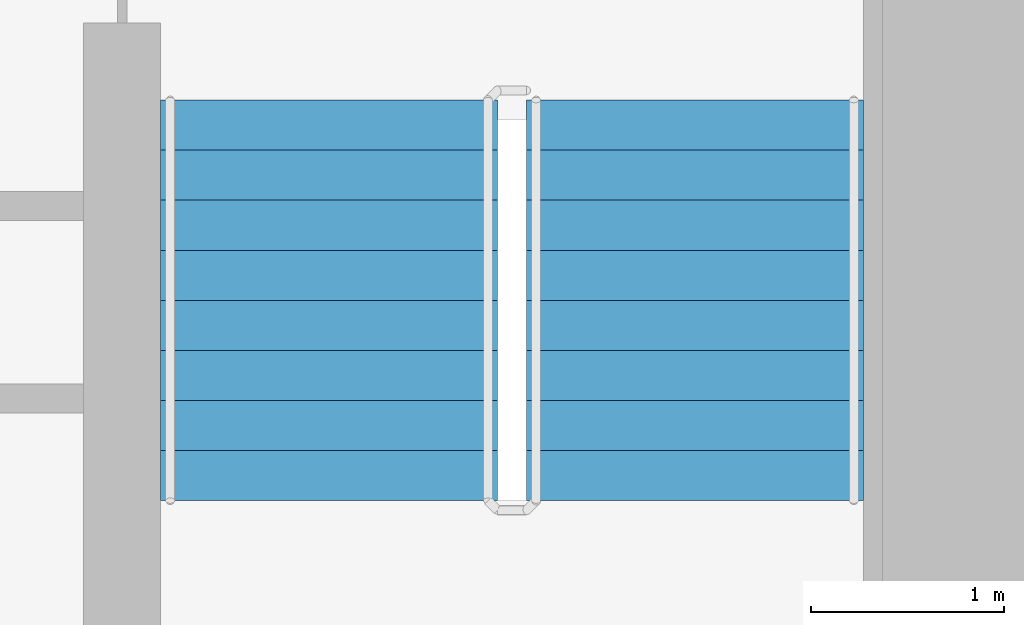
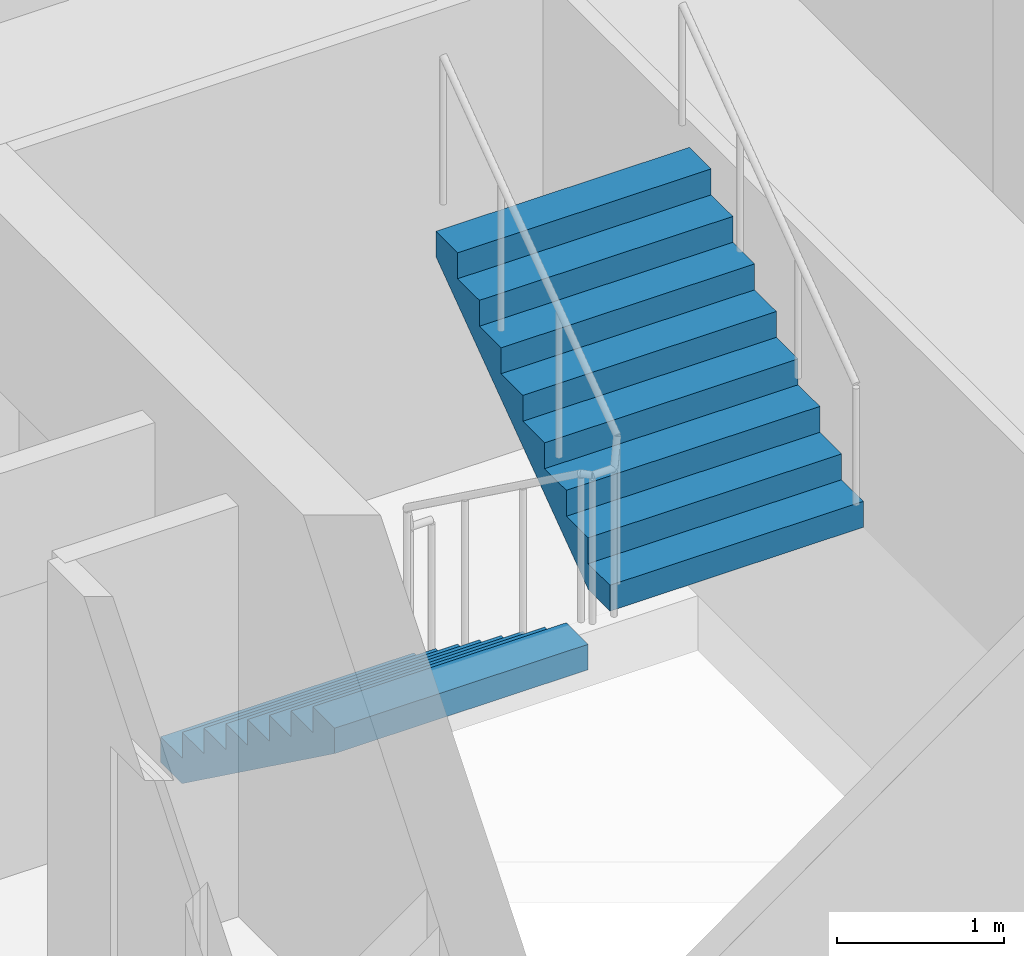
# One storey, part 19 of 23: 2 stair flights, 1 element without a shape of its own.
"""IFC4 building model written with IfcOpenShell, lengths in metres."""

from ifc_helpers import new_model, si_unit, direction, frame, origin, place, context, subcontext, project, spatial, faceted_brep, material, type_object, element, aggregate, save


model = new_model("IFC4")

# Units and contexts
model_context = context("Model", 3, precision=1e-05, world=origin(), true_north=direction((0.0, 1.0)))
body_context = subcontext(model_context, "Body", "Model", "MODEL_VIEW")
ifc_project = project(units=[si_unit("LENGTHUNIT", "METRE"), si_unit("AREAUNIT", "SQUARE_METRE"), si_unit("VOLUMEUNIT", "CUBIC_METRE"), si_unit("PLANEANGLEUNIT", "RADIAN"), si_unit("MASSUNIT", "GRAM", prefix="KILO")], contexts=[model_context])

# Site, building, storey
site_placement = place(None, origin())
site = spatial("IfcSite", under=ifc_project, at=site_placement, CompositionType="ELEMENT")
building_placement = place(site_placement, origin())
building = spatial("IfcBuilding", under=site, at=building_placement, Name="Ipe Terrace Towers", CompositionType="ELEMENT")
storey_placement = place(building_placement, frame((0.0, 0.0, 44.89990234375)))
storey = spatial("IfcBuildingStorey", under=building, at=storey_placement, Name="L11", CompositionType="ELEMENT", Elevation=44.89990234375)

# Stair, stair flights
ifc_material_1 = material(Name="Concrete C30/37", Category="concrete")
stair_type = type_object("IfcStairType", Name="Protected exit stair", PredefinedType="HALF_TURN_STAIR", material=ifc_material_1)
stair_placement = place(storey_placement, origin())
stair = element("IfcStair", 1, at=stair_placement, inside=storey, type_object=stair_type, Name="L11 Exit stair T2-C2", PredefinedType="HALF_TURN_STAIR")
ifc_material_2 = material(Name="Concrete C30/37", Category="concrete")
stair_flight_type = type_object("IfcStairFlightType", Name="Exit stair flight 1750", PredefinedType="STRAIGHT", material=ifc_material_2)
stair_flight_1_placement = place(storey_placement, frame((38.77490234375, -9.699951171875, 0.0), z_axis=(0.0, 0.0, 1.0), x_axis=(0.0, -1.0, 0.0)))
stair_flight_1 = element("IfcStairFlight", 2, at=stair_flight_1_placement, type_object=stair_flight_type, Name="T2-ST2 flight 1", NumberOfRisers=9, NumberOfTreads=8, PredefinedType="STRAIGHT", RiserHeight=0.188888889, TreadLength=0.26, context=body_context, shape_type="Brep", body=[
    faceted_brep([(0.255126953125, -0.875, 0.0), (2.080078125, -0.875, 1.325927734375), (2.080078125, -0.875, 1.51123046875), (1.820068359375, -0.875, 1.51123046875), (1.820068359375, -0.875, 1.322265625), (1.56005859375, -0.875, 1.322265625), (1.56005859375, -0.875, 1.13330078125), (1.300048828125, -0.875, 1.13330078125), (1.300048828125, -0.875, 0.9443359375), (1.0400390625, -0.875, 0.9443359375), (1.0400390625, -0.875, 0.755615234375), (0.780029296875, -0.875, 0.755615234375), (0.780029296875, -0.875, 0.566650390625), (0.52001953125, -0.875, 0.566650390625), (0.52001953125, -0.875, 0.377685546875), (0.260009765625, -0.875, 0.377685546875), (0.260009765625, -0.875, 0.18896484375), (0.0, -0.875, 0.18896484375), (0.0, -0.875, 0.0), (0.0, 0.875, 0.0), (0.0, 0.875, 0.18896484375), (0.260009765625, 0.875, 0.18896484375), (0.260009765625, 0.875, 0.377685546875), (0.52001953125, 0.875, 0.377685546875), (0.52001953125, 0.875, 0.566650390625), (0.780029296875, 0.875, 0.566650390625), (0.780029296875, 0.875, 0.755615234375), (1.0400390625, 0.875, 0.755615234375), (1.0400390625, 0.875, 0.9443359375), (1.300048828125, 0.875, 0.9443359375), (1.300048828125, 0.875, 1.13330078125), (1.56005859375, 0.875, 1.13330078125), (1.56005859375, 0.875, 1.322265625), (1.820068359375, 0.875, 1.322265625), (1.820068359375, 0.875, 1.51123046875), (2.080078125, 0.875, 1.51123046875), (2.080078125, 0.875, 1.325927734375), (0.255126953125, 0.875, 0.0), (0.0, -0.300048828125, 0.18896484375), (0.0, -0.1201171875, 0.18896484375), (0.0, -0.06005859375, 0.18896484375), (0.0, -0.030029296875, 0.18896484375), (0.0, -0.010009765625, 0.18896484375), (0.0, 0.0, 0.18896484375), (0.0, 0.010009765625, 0.18896484375), (0.0, 0.030029296875, 0.18896484375), (0.0, 0.06005859375, 0.18896484375), (0.0, 0.1201171875, 0.18896484375), (0.0, 0.300048828125, 0.18896484375), (0.0, 0.300048828125, 0.0), (0.0, 0.1201171875, 0.0), (0.0, 0.06005859375, 0.0), (0.0, 0.030029296875, 0.0), (0.0, 0.010009765625, 0.0), (0.0, 0.0, 0.0), (0.0, -0.010009765625, 0.0), (0.0, -0.030029296875, 0.0), (0.0, -0.06005859375, 0.0), (0.0, -0.1201171875, 0.0), (0.0, -0.300048828125, 0.0), (0.260009765625, -0.300048828125, 0.18896484375), (0.260009765625, -0.1201171875, 0.18896484375), (0.260009765625, -0.06005859375, 0.18896484375), (0.260009765625, -0.030029296875, 0.18896484375), (0.260009765625, -0.010009765625, 0.18896484375), (0.260009765625, 0.0, 0.18896484375), (0.260009765625, 0.010009765625, 0.18896484375), (0.260009765625, 0.030029296875, 0.18896484375), (0.260009765625, 0.06005859375, 0.18896484375), (0.260009765625, 0.1201171875, 0.18896484375), (0.260009765625, 0.300048828125, 0.18896484375), (0.260009765625, -0.300048828125, 0.377685546875), (0.260009765625, -0.1201171875, 0.377685546875), (0.260009765625, -0.06005859375, 0.377685546875), (0.260009765625, -0.030029296875, 0.377685546875), (0.260009765625, -0.010009765625, 0.377685546875), (0.260009765625, 0.0, 0.377685546875), (0.260009765625, 0.010009765625, 0.377685546875), (0.260009765625, 0.030029296875, 0.377685546875), (0.260009765625, 0.06005859375, 0.377685546875), (0.260009765625, 0.1201171875, 0.377685546875), (0.260009765625, 0.300048828125, 0.377685546875), (0.52001953125, -0.300048828125, 0.377685546875), (0.52001953125, -0.1201171875, 0.377685546875), (0.52001953125, -0.06005859375, 0.377685546875), (0.52001953125, -0.030029296875, 0.377685546875), (0.52001953125, -0.010009765625, 0.377685546875), (0.52001953125, 0.0, 0.377685546875), (0.52001953125, 0.010009765625, 0.377685546875), (0.52001953125, 0.030029296875, 0.377685546875), (0.52001953125, 0.06005859375, 0.377685546875), (0.52001953125, 0.1201171875, 0.377685546875), (0.52001953125, 0.300048828125, 0.377685546875), (0.52001953125, -0.300048828125, 0.566650390625), (0.52001953125, -0.1201171875, 0.566650390625), (0.52001953125, -0.06005859375, 0.566650390625), (0.52001953125, -0.030029296875, 0.566650390625), (0.52001953125, -0.010009765625, 0.566650390625), (0.52001953125, 0.0, 0.566650390625), (0.52001953125, 0.010009765625, 0.566650390625), (0.52001953125, 0.030029296875, 0.566650390625), (0.52001953125, 0.06005859375, 0.566650390625), (0.52001953125, 0.1201171875, 0.566650390625), (0.52001953125, 0.300048828125, 0.566650390625), (0.780029296875, -0.300048828125, 0.566650390625), (0.780029296875, -0.1201171875, 0.566650390625), (0.780029296875, -0.06005859375, 0.566650390625), (0.780029296875, -0.030029296875, 0.566650390625), (0.780029296875, -0.010009765625, 0.566650390625), (0.780029296875, 0.0, 0.566650390625), (0.780029296875, 0.010009765625, 0.566650390625), (0.780029296875, 0.030029296875, 0.566650390625), (0.780029296875, 0.06005859375, 0.566650390625), (0.780029296875, 0.1201171875, 0.566650390625), (0.780029296875, 0.300048828125, 0.566650390625), (0.780029296875, -0.300048828125, 0.755615234375), (0.780029296875, -0.1201171875, 0.755615234375), (0.780029296875, -0.06005859375, 0.755615234375), (0.780029296875, -0.030029296875, 0.755615234375), (0.780029296875, -0.010009765625, 0.755615234375), (0.780029296875, 0.0, 0.755615234375), (0.780029296875, 0.010009765625, 0.755615234375), (0.780029296875, 0.030029296875, 0.755615234375), (0.780029296875, 0.06005859375, 0.755615234375), (0.780029296875, 0.1201171875, 0.755615234375), (0.780029296875, 0.300048828125, 0.755615234375), (1.0400390625, -0.300048828125, 0.755615234375), (1.0400390625, -0.1201171875, 0.755615234375), (1.0400390625, -0.06005859375, 0.755615234375), (1.0400390625, -0.030029296875, 0.755615234375), (1.0400390625, -0.010009765625, 0.755615234375), (1.0400390625, 0.0, 0.755615234375), (1.0400390625, 0.010009765625, 0.755615234375), (1.0400390625, 0.030029296875, 0.755615234375), (1.0400390625, 0.06005859375, 0.755615234375), (1.0400390625, 0.1201171875, 0.755615234375), (1.0400390625, 0.300048828125, 0.755615234375), (1.0400390625, -0.300048828125, 0.9443359375), (1.0400390625, -0.1201171875, 0.9443359375), (1.0400390625, -0.06005859375, 0.9443359375), (1.0400390625, -0.030029296875, 0.9443359375), (1.0400390625, -0.010009765625, 0.9443359375), (1.0400390625, 0.0, 0.9443359375), (1.0400390625, 0.010009765625, 0.9443359375), (1.0400390625, 0.030029296875, 0.9443359375), (1.0400390625, 0.06005859375, 0.9443359375), (1.0400390625, 0.1201171875, 0.9443359375), (1.0400390625, 0.300048828125, 0.9443359375), (1.300048828125, -0.300048828125, 0.9443359375), (1.300048828125, -0.1201171875, 0.9443359375), (1.300048828125, -0.06005859375, 0.9443359375), (1.300048828125, -0.030029296875, 0.9443359375), (1.300048828125, -0.010009765625, 0.9443359375), (1.300048828125, 0.0, 0.9443359375), (1.300048828125, 0.010009765625, 0.9443359375), (1.300048828125, 0.030029296875, 0.9443359375), (1.300048828125, 0.06005859375, 0.9443359375), (1.300048828125, 0.1201171875, 0.9443359375), (1.300048828125, 0.300048828125, 0.9443359375), (1.300048828125, -0.300048828125, 1.13330078125), (1.300048828125, -0.1201171875, 1.13330078125), (1.300048828125, -0.06005859375, 1.13330078125), (1.300048828125, -0.030029296875, 1.13330078125), (1.300048828125, -0.010009765625, 1.13330078125), (1.300048828125, 0.0, 1.13330078125), (1.300048828125, 0.010009765625, 1.13330078125), (1.300048828125, 0.030029296875, 1.13330078125), (1.300048828125, 0.06005859375, 1.13330078125), (1.300048828125, 0.1201171875, 1.13330078125), (1.300048828125, 0.300048828125, 1.13330078125), (1.56005859375, -0.300048828125, 1.13330078125), (1.56005859375, -0.1201171875, 1.13330078125), (1.56005859375, -0.06005859375, 1.13330078125), (1.56005859375, -0.030029296875, 1.13330078125), (1.56005859375, -0.010009765625, 1.13330078125), (1.56005859375, 0.0, 1.13330078125), (1.56005859375, 0.010009765625, 1.13330078125), (1.56005859375, 0.030029296875, 1.13330078125), (1.56005859375, 0.06005859375, 1.13330078125), (1.56005859375, 0.1201171875, 1.13330078125), (1.56005859375, 0.300048828125, 1.13330078125), (1.56005859375, -0.300048828125, 1.322265625), (1.56005859375, -0.1201171875, 1.322265625), (1.56005859375, -0.06005859375, 1.322265625), (1.56005859375, -0.030029296875, 1.322265625), (1.56005859375, -0.010009765625, 1.322265625), (1.56005859375, 0.0, 1.322265625), (1.56005859375, 0.010009765625, 1.322265625), (1.56005859375, 0.030029296875, 1.322265625), (1.56005859375, 0.06005859375, 1.322265625), (1.56005859375, 0.1201171875, 1.322265625), (1.56005859375, 0.300048828125, 1.322265625), (1.820068359375, -0.300048828125, 1.322265625), (1.820068359375, -0.1201171875, 1.322265625), (1.820068359375, -0.06005859375, 1.322265625), (1.820068359375, -0.030029296875, 1.322265625), (1.820068359375, -0.010009765625, 1.322265625), (1.820068359375, 0.0, 1.322265625), (1.820068359375, 0.010009765625, 1.322265625), (1.820068359375, 0.030029296875, 1.322265625), (1.820068359375, 0.06005859375, 1.322265625), (1.820068359375, 0.1201171875, 1.322265625), (1.820068359375, 0.300048828125, 1.322265625), (1.820068359375, -0.300048828125, 1.51123046875), (1.820068359375, -0.1201171875, 1.51123046875), (1.820068359375, -0.06005859375, 1.51123046875), (1.820068359375, -0.030029296875, 1.51123046875), (1.820068359375, -0.010009765625, 1.51123046875), (1.820068359375, 0.0, 1.51123046875), (1.820068359375, 0.010009765625, 1.51123046875), (1.820068359375, 0.030029296875, 1.51123046875), (1.820068359375, 0.06005859375, 1.51123046875), (1.820068359375, 0.1201171875, 1.51123046875), (1.820068359375, 0.300048828125, 1.51123046875), (2.080078125, -0.300048828125, 1.51123046875), (2.080078125, -0.1201171875, 1.51123046875), (2.080078125, -0.06005859375, 1.51123046875), (2.080078125, -0.030029296875, 1.51123046875), (2.080078125, -0.010009765625, 1.51123046875), (2.080078125, 0.0, 1.51123046875), (2.080078125, 0.010009765625, 1.51123046875), (2.080078125, 0.030029296875, 1.51123046875), (2.080078125, 0.06005859375, 1.51123046875), (2.080078125, 0.1201171875, 1.51123046875), (2.080078125, 0.300048828125, 1.51123046875), (2.080078125, -0.300048828125, 1.325927734375), (2.080078125, -0.1201171875, 1.325927734375), (2.080078125, -0.06005859375, 1.325927734375), (2.080078125, -0.030029296875, 1.325927734375), (2.080078125, -0.010009765625, 1.325927734375), (2.080078125, 0.0, 1.325927734375), (2.080078125, 0.010009765625, 1.325927734375), (2.080078125, 0.030029296875, 1.325927734375), (2.080078125, 0.06005859375, 1.325927734375), (2.080078125, 0.1201171875, 1.325927734375), (2.080078125, 0.300048828125, 1.325927734375), (0.255126953125, -0.300048828125, 0.0), (0.255126953125, -0.1201171875, 0.0), (0.255126953125, -0.06005859375, 0.0), (0.255126953125, -0.030029296875, 0.0), (0.255126953125, -0.010009765625, 0.0), (0.255126953125, 0.0, 0.0), (0.255126953125, 0.010009765625, 0.0), (0.255126953125, 0.030029296875, 0.0), (0.255126953125, 0.06005859375, 0.0), (0.255126953125, 0.1201171875, 0.0), (0.255126953125, 0.300048828125, 0.0)], [[[0, 1, 2, 3, 4, 5, 6, 7, 8, 9, 10, 11, 12, 13, 14, 15, 16, 17, 18]], [[19, 20, 21, 22, 23, 24, 25, 26, 27, 28, 29, 30, 31, 32, 33, 34, 35, 36, 37]], [[17, 38, 39, 40, 41, 42, 43, 44, 45, 46, 47, 48, 20, 19, 49, 50, 51, 52, 53, 54, 55, 56, 57, 58, 59, 18]], [[16, 60, 61, 62, 63, 64, 65, 66, 67, 68, 69, 70, 21, 20, 48, 47, 46, 45, 44, 43, 42, 41, 40, 39, 38, 17]], [[15, 71, 72, 73, 74, 75, 76, 77, 78, 79, 80, 81, 22, 21, 70, 69, 68, 67, 66, 65, 64, 63, 62, 61, 60, 16]], [[14, 82, 83, 84, 85, 86, 87, 88, 89, 90, 91, 92, 23, 22, 81, 80, 79, 78, 77, 76, 75, 74, 73, 72, 71, 15]], [[13, 93, 94, 95, 96, 97, 98, 99, 100, 101, 102, 103, 24, 23, 92, 91, 90, 89, 88, 87, 86, 85, 84, 83, 82, 14]], [[12, 104, 105, 106, 107, 108, 109, 110, 111, 112, 113, 114, 25, 24, 103, 102, 101, 100, 99, 98, 97, 96, 95, 94, 93, 13]], [[11, 115, 116, 117, 118, 119, 120, 121, 122, 123, 124, 125, 26, 25, 114, 113, 112, 111, 110, 109, 108, 107, 106, 105, 104, 12]], [[10, 126, 127, 128, 129, 130, 131, 132, 133, 134, 135, 136, 27, 26, 125, 124, 123, 122, 121, 120, 119, 118, 117, 116, 115, 11]], [[9, 137, 138, 139, 140, 141, 142, 143, 144, 145, 146, 147, 28, 27, 136, 135, 134, 133, 132, 131, 130, 129, 128, 127, 126, 10]], [[8, 148, 149, 150, 151, 152, 153, 154, 155, 156, 157, 158, 29, 28, 147, 146, 145, 144, 143, 142, 141, 140, 139, 138, 137, 9]], [[7, 159, 160, 161, 162, 163, 164, 165, 166, 167, 168, 169, 30, 29, 158, 157, 156, 155, 154, 153, 152, 151, 150, 149, 148, 8]], [[6, 170, 171, 172, 173, 174, 175, 176, 177, 178, 179, 180, 31, 30, 169, 168, 167, 166, 165, 164, 163, 162, 161, 160, 159, 7]], [[5, 181, 182, 183, 184, 185, 186, 187, 188, 189, 190, 191, 32, 31, 180, 179, 178, 177, 176, 175, 174, 173, 172, 171, 170, 6]], [[4, 192, 193, 194, 195, 196, 197, 198, 199, 200, 201, 202, 33, 32, 191, 190, 189, 188, 187, 186, 185, 184, 183, 182, 181, 5]], [[3, 203, 204, 205, 206, 207, 208, 209, 210, 211, 212, 213, 34, 33, 202, 201, 200, 199, 198, 197, 196, 195, 194, 193, 192, 4]], [[2, 214, 215, 216, 217, 218, 219, 220, 221, 222, 223, 224, 35, 34, 213, 212, 211, 210, 209, 208, 207, 206, 205, 204, 203, 3]], [[1, 225, 226, 227, 228, 229, 230, 231, 232, 233, 234, 235, 36, 35, 224, 223, 222, 221, 220, 219, 218, 217, 216, 215, 214, 2]], [[0, 236, 237, 238, 239, 240, 241, 242, 243, 244, 245, 246, 37, 36, 235, 234, 233, 232, 231, 230, 229, 228, 227, 226, 225, 1]], [[18, 59, 58, 57, 56, 55, 54, 53, 52, 51, 50, 49, 19, 37, 246, 245, 244, 243, 242, 241, 240, 239, 238, 237, 236, 0]]]),
])
stair_flight_2_placement = place(storey_placement, frame((40.675048828125, -11.780029296875, 1.7001953125), z_axis=(0.0, 0.0, 1.0), x_axis=(0.0, 1.0, 0.0)))
stair_flight_2 = element("IfcStairFlight", 3, at=stair_flight_2_placement, type_object=stair_flight_type, Name="T2-ST2 flight 2", NumberOfRisers=9, NumberOfTreads=8, PredefinedType="STRAIGHT", RiserHeight=0.188888889, TreadLength=0.26, context=body_context, shape_type="Brep", body=[
    faceted_brep([(0.255126953125, -0.875, 0.0), (2.080078125, -0.875, 1.325927734375), (2.080078125, -0.875, 1.51123046875), (1.820068359375, -0.875, 1.51123046875), (1.820068359375, -0.875, 1.322265625), (1.56005859375, -0.875, 1.322265625), (1.56005859375, -0.875, 1.13330078125), (1.300048828125, -0.875, 1.13330078125), (1.300048828125, -0.875, 0.9443359375), (1.0400390625, -0.875, 0.9443359375), (1.0400390625, -0.875, 0.755615234375), (0.780029296875, -0.875, 0.755615234375), (0.780029296875, -0.875, 0.566650390625), (0.52001953125, -0.875, 0.566650390625), (0.52001953125, -0.875, 0.377685546875), (0.260009765625, -0.875, 0.377685546875), (0.260009765625, -0.875, 0.18896484375), (0.0, -0.875, 0.18896484375), (0.0, -0.875, 0.0), (0.0, 0.875, 0.0), (0.0, 0.875, 0.18896484375), (0.260009765625, 0.875, 0.18896484375), (0.260009765625, 0.875, 0.377685546875), (0.52001953125, 0.875, 0.377685546875), (0.52001953125, 0.875, 0.566650390625), (0.780029296875, 0.875, 0.566650390625), (0.780029296875, 0.875, 0.755615234375), (1.0400390625, 0.875, 0.755615234375), (1.0400390625, 0.875, 0.9443359375), (1.300048828125, 0.875, 0.9443359375), (1.300048828125, 0.875, 1.13330078125), (1.56005859375, 0.875, 1.13330078125), (1.56005859375, 0.875, 1.322265625), (1.820068359375, 0.875, 1.322265625), (1.820068359375, 0.875, 1.51123046875), (2.080078125, 0.875, 1.51123046875), (2.080078125, 0.875, 1.325927734375), (0.255126953125, 0.875, 0.0), (0.0, -0.300048828125, 0.18896484375), (0.0, -0.1201171875, 0.18896484375), (0.0, -0.06005859375, 0.18896484375), (0.0, -0.030029296875, 0.18896484375), (0.0, -0.010009765625, 0.18896484375), (0.0, 0.0, 0.18896484375), (0.0, 0.010009765625, 0.18896484375), (0.0, 0.030029296875, 0.18896484375), (0.0, 0.06005859375, 0.18896484375), (0.0, 0.1201171875, 0.18896484375), (0.0, 0.300048828125, 0.18896484375), (0.0, 0.300048828125, 0.0), (0.0, 0.1201171875, 0.0), (0.0, 0.06005859375, 0.0), (0.0, 0.030029296875, 0.0), (0.0, 0.010009765625, 0.0), (0.0, 0.0, 0.0), (0.0, -0.010009765625, 0.0), (0.0, -0.030029296875, 0.0), (0.0, -0.06005859375, 0.0), (0.0, -0.1201171875, 0.0), (0.0, -0.300048828125, 0.0), (0.260009765625, -0.300048828125, 0.18896484375), (0.260009765625, -0.1201171875, 0.18896484375), (0.260009765625, -0.06005859375, 0.18896484375), (0.260009765625, -0.030029296875, 0.18896484375), (0.260009765625, -0.010009765625, 0.18896484375), (0.260009765625, 0.0, 0.18896484375), (0.260009765625, 0.010009765625, 0.18896484375), (0.260009765625, 0.030029296875, 0.18896484375), (0.260009765625, 0.06005859375, 0.18896484375), (0.260009765625, 0.1201171875, 0.18896484375), (0.260009765625, 0.300048828125, 0.18896484375), (0.260009765625, -0.300048828125, 0.377685546875), (0.260009765625, -0.1201171875, 0.377685546875), (0.260009765625, -0.06005859375, 0.377685546875), (0.260009765625, -0.030029296875, 0.377685546875), (0.260009765625, -0.010009765625, 0.377685546875), (0.260009765625, 0.0, 0.377685546875), (0.260009765625, 0.010009765625, 0.377685546875), (0.260009765625, 0.030029296875, 0.377685546875), (0.260009765625, 0.06005859375, 0.377685546875), (0.260009765625, 0.1201171875, 0.377685546875), (0.260009765625, 0.300048828125, 0.377685546875), (0.52001953125, -0.300048828125, 0.377685546875), (0.52001953125, -0.1201171875, 0.377685546875), (0.52001953125, -0.06005859375, 0.377685546875), (0.52001953125, -0.030029296875, 0.377685546875), (0.52001953125, -0.010009765625, 0.377685546875), (0.52001953125, 0.0, 0.377685546875), (0.52001953125, 0.010009765625, 0.377685546875), (0.52001953125, 0.030029296875, 0.377685546875), (0.52001953125, 0.06005859375, 0.377685546875), (0.52001953125, 0.1201171875, 0.377685546875), (0.52001953125, 0.300048828125, 0.377685546875), (0.52001953125, -0.300048828125, 0.566650390625), (0.52001953125, -0.1201171875, 0.566650390625), (0.52001953125, -0.06005859375, 0.566650390625), (0.52001953125, -0.030029296875, 0.566650390625), (0.52001953125, -0.010009765625, 0.566650390625), (0.52001953125, 0.0, 0.566650390625), (0.52001953125, 0.010009765625, 0.566650390625), (0.52001953125, 0.030029296875, 0.566650390625), (0.52001953125, 0.06005859375, 0.566650390625), (0.52001953125, 0.1201171875, 0.566650390625), (0.52001953125, 0.300048828125, 0.566650390625), (0.780029296875, -0.300048828125, 0.566650390625), (0.780029296875, -0.1201171875, 0.566650390625), (0.780029296875, -0.06005859375, 0.566650390625), (0.780029296875, -0.030029296875, 0.566650390625), (0.780029296875, -0.010009765625, 0.566650390625), (0.780029296875, 0.0, 0.566650390625), (0.780029296875, 0.010009765625, 0.566650390625), (0.780029296875, 0.030029296875, 0.566650390625), (0.780029296875, 0.06005859375, 0.566650390625), (0.780029296875, 0.1201171875, 0.566650390625), (0.780029296875, 0.300048828125, 0.566650390625), (0.780029296875, -0.300048828125, 0.755615234375), (0.780029296875, -0.1201171875, 0.755615234375), (0.780029296875, -0.06005859375, 0.755615234375), (0.780029296875, -0.030029296875, 0.755615234375), (0.780029296875, -0.010009765625, 0.755615234375), (0.780029296875, 0.0, 0.755615234375), (0.780029296875, 0.010009765625, 0.755615234375), (0.780029296875, 0.030029296875, 0.755615234375), (0.780029296875, 0.06005859375, 0.755615234375), (0.780029296875, 0.1201171875, 0.755615234375), (0.780029296875, 0.300048828125, 0.755615234375), (1.0400390625, -0.300048828125, 0.755615234375), (1.0400390625, -0.1201171875, 0.755615234375), (1.0400390625, -0.06005859375, 0.755615234375), (1.0400390625, -0.030029296875, 0.755615234375), (1.0400390625, -0.010009765625, 0.755615234375), (1.0400390625, 0.0, 0.755615234375), (1.0400390625, 0.010009765625, 0.755615234375), (1.0400390625, 0.030029296875, 0.755615234375), (1.0400390625, 0.06005859375, 0.755615234375), (1.0400390625, 0.1201171875, 0.755615234375), (1.0400390625, 0.300048828125, 0.755615234375), (1.0400390625, -0.300048828125, 0.9443359375), (1.0400390625, -0.1201171875, 0.9443359375), (1.0400390625, -0.06005859375, 0.9443359375), (1.0400390625, -0.030029296875, 0.9443359375), (1.0400390625, -0.010009765625, 0.9443359375), (1.0400390625, 0.0, 0.9443359375), (1.0400390625, 0.010009765625, 0.9443359375), (1.0400390625, 0.030029296875, 0.9443359375), (1.0400390625, 0.06005859375, 0.9443359375), (1.0400390625, 0.1201171875, 0.9443359375), (1.0400390625, 0.300048828125, 0.9443359375), (1.300048828125, -0.300048828125, 0.9443359375), (1.300048828125, -0.1201171875, 0.9443359375), (1.300048828125, -0.06005859375, 0.9443359375), (1.300048828125, -0.030029296875, 0.9443359375), (1.300048828125, -0.010009765625, 0.9443359375), (1.300048828125, 0.0, 0.9443359375), (1.300048828125, 0.010009765625, 0.9443359375), (1.300048828125, 0.030029296875, 0.9443359375), (1.300048828125, 0.06005859375, 0.9443359375), (1.300048828125, 0.1201171875, 0.9443359375), (1.300048828125, 0.300048828125, 0.9443359375), (1.300048828125, -0.300048828125, 1.13330078125), (1.300048828125, -0.1201171875, 1.13330078125), (1.300048828125, -0.06005859375, 1.13330078125), (1.300048828125, -0.030029296875, 1.13330078125), (1.300048828125, -0.010009765625, 1.13330078125), (1.300048828125, 0.0, 1.13330078125), (1.300048828125, 0.010009765625, 1.13330078125), (1.300048828125, 0.030029296875, 1.13330078125), (1.300048828125, 0.06005859375, 1.13330078125), (1.300048828125, 0.1201171875, 1.13330078125), (1.300048828125, 0.300048828125, 1.13330078125), (1.56005859375, -0.300048828125, 1.13330078125), (1.56005859375, -0.1201171875, 1.13330078125), (1.56005859375, -0.06005859375, 1.13330078125), (1.56005859375, -0.030029296875, 1.13330078125), (1.56005859375, -0.010009765625, 1.13330078125), (1.56005859375, 0.0, 1.13330078125), (1.56005859375, 0.010009765625, 1.13330078125), (1.56005859375, 0.030029296875, 1.13330078125), (1.56005859375, 0.06005859375, 1.13330078125), (1.56005859375, 0.1201171875, 1.13330078125), (1.56005859375, 0.300048828125, 1.13330078125), (1.56005859375, -0.300048828125, 1.322265625), (1.56005859375, -0.1201171875, 1.322265625), (1.56005859375, -0.06005859375, 1.322265625), (1.56005859375, -0.030029296875, 1.322265625), (1.56005859375, -0.010009765625, 1.322265625), (1.56005859375, 0.0, 1.322265625), (1.56005859375, 0.010009765625, 1.322265625), (1.56005859375, 0.030029296875, 1.322265625), (1.56005859375, 0.06005859375, 1.322265625), (1.56005859375, 0.1201171875, 1.322265625), (1.56005859375, 0.300048828125, 1.322265625), (1.820068359375, -0.300048828125, 1.322265625), (1.820068359375, -0.1201171875, 1.322265625), (1.820068359375, -0.06005859375, 1.322265625), (1.820068359375, -0.030029296875, 1.322265625), (1.820068359375, -0.010009765625, 1.322265625), (1.820068359375, 0.0, 1.322265625), (1.820068359375, 0.010009765625, 1.322265625), (1.820068359375, 0.030029296875, 1.322265625), (1.820068359375, 0.06005859375, 1.322265625), (1.820068359375, 0.1201171875, 1.322265625), (1.820068359375, 0.300048828125, 1.322265625), (1.820068359375, -0.300048828125, 1.51123046875), (1.820068359375, -0.1201171875, 1.51123046875), (1.820068359375, -0.06005859375, 1.51123046875), (1.820068359375, -0.030029296875, 1.51123046875), (1.820068359375, -0.010009765625, 1.51123046875), (1.820068359375, 0.0, 1.51123046875), (1.820068359375, 0.010009765625, 1.51123046875), (1.820068359375, 0.030029296875, 1.51123046875), (1.820068359375, 0.06005859375, 1.51123046875), (1.820068359375, 0.1201171875, 1.51123046875), (1.820068359375, 0.300048828125, 1.51123046875), (2.080078125, -0.300048828125, 1.51123046875), (2.080078125, -0.1201171875, 1.51123046875), (2.080078125, -0.06005859375, 1.51123046875), (2.080078125, -0.030029296875, 1.51123046875), (2.080078125, -0.010009765625, 1.51123046875), (2.080078125, 0.0, 1.51123046875), (2.080078125, 0.010009765625, 1.51123046875), (2.080078125, 0.030029296875, 1.51123046875), (2.080078125, 0.06005859375, 1.51123046875), (2.080078125, 0.1201171875, 1.51123046875), (2.080078125, 0.300048828125, 1.51123046875), (2.080078125, -0.300048828125, 1.325927734375), (2.080078125, -0.1201171875, 1.325927734375), (2.080078125, -0.06005859375, 1.325927734375), (2.080078125, -0.030029296875, 1.325927734375), (2.080078125, -0.010009765625, 1.325927734375), (2.080078125, 0.0, 1.325927734375), (2.080078125, 0.010009765625, 1.325927734375), (2.080078125, 0.030029296875, 1.325927734375), (2.080078125, 0.06005859375, 1.325927734375), (2.080078125, 0.1201171875, 1.325927734375), (2.080078125, 0.300048828125, 1.325927734375), (0.255126953125, -0.300048828125, 0.0), (0.255126953125, -0.1201171875, 0.0), (0.255126953125, -0.06005859375, 0.0), (0.255126953125, -0.030029296875, 0.0), (0.255126953125, -0.010009765625, 0.0), (0.255126953125, 0.0, 0.0), (0.255126953125, 0.010009765625, 0.0), (0.255126953125, 0.030029296875, 0.0), (0.255126953125, 0.06005859375, 0.0), (0.255126953125, 0.1201171875, 0.0), (0.255126953125, 0.300048828125, 0.0)], [[[0, 1, 2, 3, 4, 5, 6, 7, 8, 9, 10, 11, 12, 13, 14, 15, 16, 17, 18]], [[19, 20, 21, 22, 23, 24, 25, 26, 27, 28, 29, 30, 31, 32, 33, 34, 35, 36, 37]], [[17, 38, 39, 40, 41, 42, 43, 44, 45, 46, 47, 48, 20, 19, 49, 50, 51, 52, 53, 54, 55, 56, 57, 58, 59, 18]], [[16, 60, 61, 62, 63, 64, 65, 66, 67, 68, 69, 70, 21, 20, 48, 47, 46, 45, 44, 43, 42, 41, 40, 39, 38, 17]], [[15, 71, 72, 73, 74, 75, 76, 77, 78, 79, 80, 81, 22, 21, 70, 69, 68, 67, 66, 65, 64, 63, 62, 61, 60, 16]], [[14, 82, 83, 84, 85, 86, 87, 88, 89, 90, 91, 92, 23, 22, 81, 80, 79, 78, 77, 76, 75, 74, 73, 72, 71, 15]], [[13, 93, 94, 95, 96, 97, 98, 99, 100, 101, 102, 103, 24, 23, 92, 91, 90, 89, 88, 87, 86, 85, 84, 83, 82, 14]], [[12, 104, 105, 106, 107, 108, 109, 110, 111, 112, 113, 114, 25, 24, 103, 102, 101, 100, 99, 98, 97, 96, 95, 94, 93, 13]], [[11, 115, 116, 117, 118, 119, 120, 121, 122, 123, 124, 125, 26, 25, 114, 113, 112, 111, 110, 109, 108, 107, 106, 105, 104, 12]], [[10, 126, 127, 128, 129, 130, 131, 132, 133, 134, 135, 136, 27, 26, 125, 124, 123, 122, 121, 120, 119, 118, 117, 116, 115, 11]], [[9, 137, 138, 139, 140, 141, 142, 143, 144, 145, 146, 147, 28, 27, 136, 135, 134, 133, 132, 131, 130, 129, 128, 127, 126, 10]], [[8, 148, 149, 150, 151, 152, 153, 154, 155, 156, 157, 158, 29, 28, 147, 146, 145, 144, 143, 142, 141, 140, 139, 138, 137, 9]], [[7, 159, 160, 161, 162, 163, 164, 165, 166, 167, 168, 169, 30, 29, 158, 157, 156, 155, 154, 153, 152, 151, 150, 149, 148, 8]], [[6, 170, 171, 172, 173, 174, 175, 176, 177, 178, 179, 180, 31, 30, 169, 168, 167, 166, 165, 164, 163, 162, 161, 160, 159, 7]], [[5, 181, 182, 183, 184, 185, 186, 187, 188, 189, 190, 191, 32, 31, 180, 179, 178, 177, 176, 175, 174, 173, 172, 171, 170, 6]], [[4, 192, 193, 194, 195, 196, 197, 198, 199, 200, 201, 202, 33, 32, 191, 190, 189, 188, 187, 186, 185, 184, 183, 182, 181, 5]], [[3, 203, 204, 205, 206, 207, 208, 209, 210, 211, 212, 213, 34, 33, 202, 201, 200, 199, 198, 197, 196, 195, 194, 193, 192, 4]], [[2, 214, 215, 216, 217, 218, 219, 220, 221, 222, 223, 224, 35, 34, 213, 212, 211, 210, 209, 208, 207, 206, 205, 204, 203, 3]], [[1, 225, 226, 227, 228, 229, 230, 231, 232, 233, 234, 235, 36, 35, 224, 223, 222, 221, 220, 219, 218, 217, 216, 215, 214, 2]], [[0, 236, 237, 238, 239, 240, 241, 242, 243, 244, 245, 246, 37, 36, 235, 234, 233, 232, 231, 230, 229, 228, 227, 226, 225, 1]], [[18, 59, 58, 57, 56, 55, 54, 53, 52, 51, 50, 49, 19, 37, 246, 245, 244, 243, 242, 241, 240, 239, 238, 237, 236, 0]]]),
])
aggregate(stair, [stair_flight_1, stair_flight_2])

save(model, "model.ifc")
